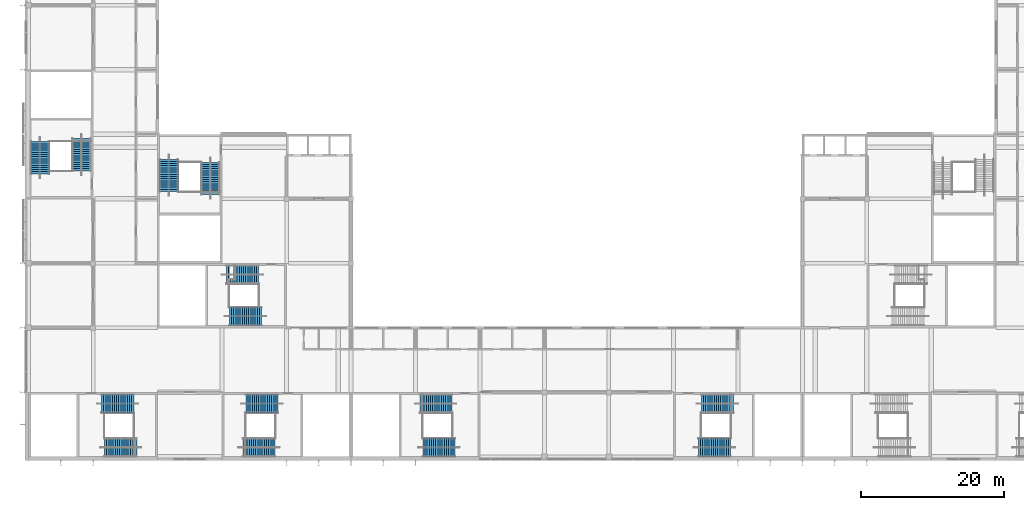
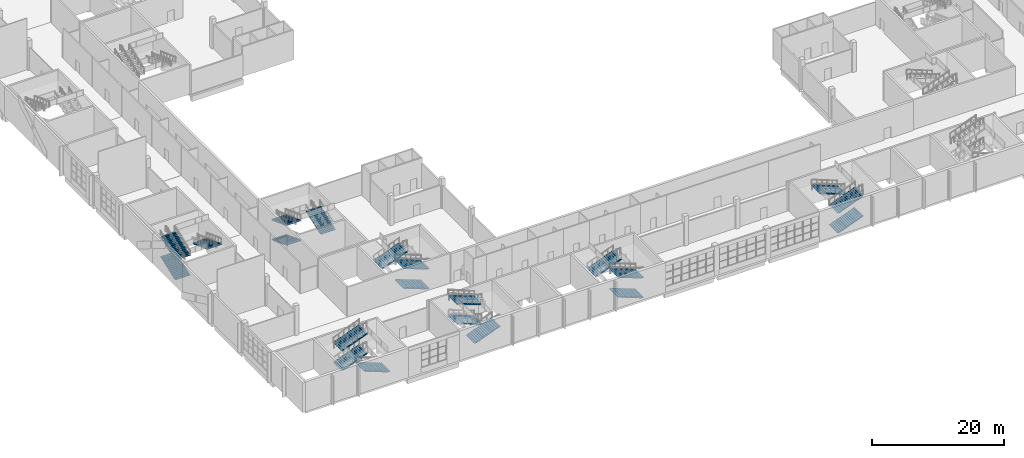
# One storey, part 44 of 84: 21 stair flights, 7 elements without a shape of their own.
"""IFC4 building model written with IfcOpenShell, lengths in metres."""

from ifc_helpers import new_model, si_unit, direction, frame, origin, place, context, subcontext, project, spatial, polyline, outline, extrude, material, type_object, element, aggregate, save


model = new_model("IFC4")

# Units and contexts
model_context = context("Model", 3, precision=1e-05, world=origin(), true_north=direction((0.0, 1.0)))
body_context = subcontext(model_context, "Body", "Model", "MODEL_VIEW")
ifc_project = project(units=[si_unit("LENGTHUNIT", "METRE"), si_unit("AREAUNIT", "SQUARE_METRE"), si_unit("VOLUMEUNIT", "CUBIC_METRE"), si_unit("PLANEANGLEUNIT", "RADIAN"), si_unit("MASSUNIT", "GRAM", prefix="KILO")], contexts=[model_context])

# Site, building, storey
site_placement = place(None, origin())
site = spatial("IfcSite", under=ifc_project, at=site_placement, CompositionType="ELEMENT")
building_placement = place(site_placement, origin())
building = spatial("IfcBuilding", under=site, at=building_placement, Name="Silverbay Arena", CompositionType="ELEMENT")
storey_placement = place(building_placement, frame((0.0, 0.0, 28.0)))
storey = spatial("IfcBuildingStorey", under=building, at=storey_placement, Name="L04", CompositionType="ELEMENT", Elevation=28.0)

# Stair, stair flights
ifc_material_1 = material(Name="Concrete Grade C45", Category="concrete")
stair_type = type_object("IfcStairType", Name="Stair 2600 wide 48 risers 114.6 x 300", PredefinedType="HALF_TURN_STAIR", material=ifc_material_1)
stair_1_placement = place(storey_placement, origin())
stair_1 = element("IfcStair", 1, at=stair_1_placement, inside=storey, type_object=stair_type, Name="Stair ST-S1 L04 to L05", PredefinedType="HALF_TURN_STAIR")
ifc_material_2 = material(Name="Concrete Grade C45", Category="concrete")
stair_flight_type = type_object("IfcStairFlightType", Name="Stair flight 2600 wide 16 risers 114.6 x 300", PredefinedType="STRAIGHT", material=ifc_material_2)
stair_flight_1_placement = place(storey_placement, frame((88.8203125, 25.39990234375, 0.0), z_axis=(0.0, 0.0, 1.0), x_axis=(-1.0, 0.0, 0.0)))
stair_flight_1 = element("IfcStairFlight", 2, at=stair_flight_1_placement, type_object=stair_flight_type, Name="Stair ST-S1 L04 to L05 flight 1", NumberOfRisers=16, NumberOfTreads=15, PredefinedType="STRAIGHT", RiserHeight=0.114583333, TreadLength=0.3, context=body_context, shape_type="SweptSolid", body=[
    extrude(outline(polyline([(0.0, 0.0), (0.0, 0.114501953125), (0.300048828125, 0.114501953125), (0.300048828125, 0.229248046875), (0.60009765625, 0.229248046875), (0.60009765625, 0.34375), (0.89990234375, 0.34375), (0.89990234375, 0.458251953125), (1.199951171875, 0.458251953125), (1.199951171875, 0.572998046875), (1.5, 0.572998046875), (1.5, 0.6875), (1.800048828125, 0.6875), (1.800048828125, 0.802001953125), (2.10009765625, 0.802001953125), (2.10009765625, 0.916748046875), (2.39990234375, 0.916748046875), (2.39990234375, 1.03125), (2.699951171875, 1.03125), (2.699951171875, 1.145751953125), (3.0, 1.145751953125), (3.0, 1.260498046875), (3.300048828125, 1.260498046875), (3.300048828125, 1.375), (3.60009765625, 1.375), (3.60009765625, 1.489501953125), (3.89990234375, 1.489501953125), (3.89990234375, 1.604248046875), (4.199951171875, 1.604248046875), (4.199951171875, 1.71875), (4.5, 1.71875), (4.5, 1.558349609375), (0.420166015625, 0.0), (0.0, 0.0)])), frame((0.0, 1.300048828125, 0.0), z_axis=(0.0, -1.0, 0.0), x_axis=(1.0, 0.0, 0.0)), (0.0, 0.0, 1.0), 2.60009765625),
])
stair_flight_2_placement = place(storey_placement, frame((83.89990234375, 19.300048828125, 1.833251953125), z_axis=(0.0, 0.0, 1.0), x_axis=(1.0, 0.0, 0.0)))
stair_flight_2 = element("IfcStairFlight", 3, at=stair_flight_2_placement, type_object=stair_flight_type, Name="Stair ST-S1 L04 to L05 flight 2", NumberOfRisers=16, NumberOfTreads=15, PredefinedType="STRAIGHT", RiserHeight=0.114583333, TreadLength=0.3, context=body_context, shape_type="SweptSolid", body=[
    extrude(outline(polyline([(0.0, 0.0), (0.0, 0.114501953125), (0.300048828125, 0.114501953125), (0.300048828125, 0.229248046875), (0.60009765625, 0.229248046875), (0.60009765625, 0.34375), (0.89990234375, 0.34375), (0.89990234375, 0.458251953125), (1.199951171875, 0.458251953125), (1.199951171875, 0.572998046875), (1.5, 0.572998046875), (1.5, 0.6875), (1.800048828125, 0.6875), (1.800048828125, 0.802001953125), (2.10009765625, 0.802001953125), (2.10009765625, 0.916748046875), (2.39990234375, 0.916748046875), (2.39990234375, 1.03125), (2.699951171875, 1.03125), (2.699951171875, 1.145751953125), (3.0, 1.145751953125), (3.0, 1.260498046875), (3.300048828125, 1.260498046875), (3.300048828125, 1.375), (3.60009765625, 1.375), (3.60009765625, 1.489501953125), (3.89990234375, 1.489501953125), (3.89990234375, 1.604248046875), (4.199951171875, 1.604248046875), (4.199951171875, 1.71875), (4.5, 1.71875), (4.5, 1.558349609375), (0.420166015625, 0.0), (0.0, 0.0)])), frame((0.0, 1.300048828125, 0.0), z_axis=(0.0, -1.0, 0.0), x_axis=(1.0, 0.0, 0.0)), (0.0, 0.0, 1.0), 2.60009765625),
])
stair_flight_3_placement = place(storey_placement, frame((88.8203125, 25.39990234375, 3.666748046875), z_axis=(0.0, 0.0, 1.0), x_axis=(-1.0, 0.0, 0.0)))
stair_flight_3 = element("IfcStairFlight", 4, at=stair_flight_3_placement, type_object=stair_flight_type, Name="Stair ST-S1 L04 to L05 flight 3", NumberOfRisers=16, NumberOfTreads=15, PredefinedType="STRAIGHT", RiserHeight=0.114583333, TreadLength=0.3, context=body_context, shape_type="SweptSolid", body=[
    extrude(outline(polyline([(0.0, 0.0), (0.0, 0.114501953125), (0.300048828125, 0.114501953125), (0.300048828125, 0.229248046875), (0.60009765625, 0.229248046875), (0.60009765625, 0.34375), (0.89990234375, 0.34375), (0.89990234375, 0.458251953125), (1.199951171875, 0.458251953125), (1.199951171875, 0.572998046875), (1.5, 0.572998046875), (1.5, 0.6875), (1.800048828125, 0.6875), (1.800048828125, 0.802001953125), (2.10009765625, 0.802001953125), (2.10009765625, 0.916748046875), (2.39990234375, 0.916748046875), (2.39990234375, 1.03125), (2.699951171875, 1.03125), (2.699951171875, 1.145751953125), (3.0, 1.145751953125), (3.0, 1.260498046875), (3.300048828125, 1.260498046875), (3.300048828125, 1.375), (3.60009765625, 1.375), (3.60009765625, 1.489501953125), (3.89990234375, 1.489501953125), (3.89990234375, 1.604248046875), (4.199951171875, 1.604248046875), (4.199951171875, 1.71875), (4.5, 1.71875), (4.5, 1.558349609375), (0.420166015625, 0.0), (0.0, 0.0)])), frame((0.0, 1.300048828125, 0.0), z_axis=(0.0, -1.0, 0.0), x_axis=(1.0, 0.0, 0.0)), (0.0, 0.0, 1.0), 2.60009765625),
])
aggregate(stair_1, [stair_flight_1, stair_flight_2, stair_flight_3])

stair_2_placement = place(storey_placement, origin())
stair_2 = element("IfcStair", 5, at=stair_2_placement, inside=storey, type_object=stair_type, Name="Stair ST-S2 L04 to L05", PredefinedType="HALF_TURN_STAIR")
stair_flight_4_placement = place(storey_placement, frame((113.5205078125, 19.300048828125, 0.0), z_axis=(0.0, 0.0, 1.0), x_axis=(-1.0, 0.0, 0.0)))
stair_flight_4 = element("IfcStairFlight", 6, at=stair_flight_4_placement, type_object=stair_flight_type, Name="Stair ST-S2 L04 to L05 flight 1", NumberOfRisers=16, NumberOfTreads=15, PredefinedType="STRAIGHT", RiserHeight=0.114583333, TreadLength=0.3, context=body_context, shape_type="SweptSolid", body=[
    extrude(outline(polyline([(0.0, 0.0), (0.0, 0.114501953125), (0.300048828125, 0.114501953125), (0.300048828125, 0.229248046875), (0.60009765625, 0.229248046875), (0.60009765625, 0.34375), (0.89990234375, 0.34375), (0.89990234375, 0.458251953125), (1.199951171875, 0.458251953125), (1.199951171875, 0.572998046875), (1.5, 0.572998046875), (1.5, 0.6875), (1.800048828125, 0.6875), (1.800048828125, 0.802001953125), (2.10009765625, 0.802001953125), (2.10009765625, 0.916748046875), (2.39990234375, 0.916748046875), (2.39990234375, 1.03125), (2.699951171875, 1.03125), (2.699951171875, 1.145751953125), (3.0, 1.145751953125), (3.0, 1.260498046875), (3.300048828125, 1.260498046875), (3.300048828125, 1.375), (3.60009765625, 1.375), (3.60009765625, 1.489501953125), (3.89990234375, 1.489501953125), (3.89990234375, 1.604248046875), (4.199951171875, 1.604248046875), (4.199951171875, 1.71875), (4.5, 1.71875), (4.5, 1.558349609375), (0.420166015625, 0.0), (0.0, 0.0)])), frame((0.0, 1.300048828125, 0.0), z_axis=(0.0, -1.0, 0.0), x_axis=(1.0, 0.0, 0.0)), (0.0, 0.0, 1.0), 2.60009765625),
])
stair_flight_5_placement = place(storey_placement, frame((108.60009765625, 25.39990234375, 1.833251953125), z_axis=(0.0, 0.0, 1.0), x_axis=(1.0, 0.0, 0.0)))
stair_flight_5 = element("IfcStairFlight", 7, at=stair_flight_5_placement, type_object=stair_flight_type, Name="Stair ST-S2 L04 to L05 flight 2", NumberOfRisers=16, NumberOfTreads=15, PredefinedType="STRAIGHT", RiserHeight=0.114583333, TreadLength=0.3, context=body_context, shape_type="SweptSolid", body=[
    extrude(outline(polyline([(0.0, 0.0), (0.0, 0.114501953125), (0.300048828125, 0.114501953125), (0.300048828125, 0.229248046875), (0.60009765625, 0.229248046875), (0.60009765625, 0.34375), (0.89990234375, 0.34375), (0.89990234375, 0.458251953125), (1.199951171875, 0.458251953125), (1.199951171875, 0.572998046875), (1.5, 0.572998046875), (1.5, 0.6875), (1.800048828125, 0.6875), (1.800048828125, 0.802001953125), (2.10009765625, 0.802001953125), (2.10009765625, 0.916748046875), (2.39990234375, 0.916748046875), (2.39990234375, 1.03125), (2.699951171875, 1.03125), (2.699951171875, 1.145751953125), (3.0, 1.145751953125), (3.0, 1.260498046875), (3.300048828125, 1.260498046875), (3.300048828125, 1.375), (3.60009765625, 1.375), (3.60009765625, 1.489501953125), (3.89990234375, 1.489501953125), (3.89990234375, 1.604248046875), (4.199951171875, 1.604248046875), (4.199951171875, 1.71875), (4.5, 1.71875), (4.5, 1.558349609375), (0.420166015625, 0.0), (0.0, 0.0)])), frame((0.0, 1.300048828125, 0.0), z_axis=(0.0, -1.0, 0.0), x_axis=(1.0, 0.0, 0.0)), (0.0, 0.0, 1.0), 2.60009765625),
])
stair_flight_6_placement = place(storey_placement, frame((113.5205078125, 19.300048828125, 3.666748046875), z_axis=(0.0, 0.0, 1.0), x_axis=(-1.0, 0.0, 0.0)))
stair_flight_6 = element("IfcStairFlight", 8, at=stair_flight_6_placement, type_object=stair_flight_type, Name="Stair ST-S2 L04 to L05 flight 3", NumberOfRisers=16, NumberOfTreads=15, PredefinedType="STRAIGHT", RiserHeight=0.114583333, TreadLength=0.3, context=body_context, shape_type="SweptSolid", body=[
    extrude(outline(polyline([(0.0, 0.0), (0.0, 0.114501953125), (0.300048828125, 0.114501953125), (0.300048828125, 0.229248046875), (0.60009765625, 0.229248046875), (0.60009765625, 0.34375), (0.89990234375, 0.34375), (0.89990234375, 0.458251953125), (1.199951171875, 0.458251953125), (1.199951171875, 0.572998046875), (1.5, 0.572998046875), (1.5, 0.6875), (1.800048828125, 0.6875), (1.800048828125, 0.802001953125), (2.10009765625, 0.802001953125), (2.10009765625, 0.916748046875), (2.39990234375, 0.916748046875), (2.39990234375, 1.03125), (2.699951171875, 1.03125), (2.699951171875, 1.145751953125), (3.0, 1.145751953125), (3.0, 1.260498046875), (3.300048828125, 1.260498046875), (3.300048828125, 1.375), (3.60009765625, 1.375), (3.60009765625, 1.489501953125), (3.89990234375, 1.489501953125), (3.89990234375, 1.604248046875), (4.199951171875, 1.604248046875), (4.199951171875, 1.71875), (4.5, 1.71875), (4.5, 1.558349609375), (0.420166015625, 0.0), (0.0, 0.0)])), frame((0.0, 1.300048828125, 0.0), z_axis=(0.0, -1.0, 0.0), x_axis=(1.0, 0.0, 0.0)), (0.0, 0.0, 1.0), 2.60009765625),
])
aggregate(stair_2, [stair_flight_4, stair_flight_5, stair_flight_6])

stair_3_placement = place(storey_placement, origin())
stair_3 = element("IfcStair", 9, at=stair_3_placement, inside=storey, type_object=stair_type, Name="Stair ST-S3 L04 to L05", PredefinedType="HALF_TURN_STAIR")
stair_flight_7_placement = place(storey_placement, frame((147.4794921875, 19.300048828125, 0.0), z_axis=(0.0, 0.0, 1.0), x_axis=(1.0, 0.0, 0.0)))
stair_flight_7 = element("IfcStairFlight", 10, at=stair_flight_7_placement, type_object=stair_flight_type, Name="Stair ST-S3 L04 to L05 flight 1", NumberOfRisers=16, NumberOfTreads=15, PredefinedType="STRAIGHT", RiserHeight=0.114583333, TreadLength=0.3, context=body_context, shape_type="SweptSolid", body=[
    extrude(outline(polyline([(0.0, 0.0), (0.0, 0.114501953125), (0.300048828125, 0.114501953125), (0.300048828125, 0.229248046875), (0.60009765625, 0.229248046875), (0.60009765625, 0.34375), (0.89990234375, 0.34375), (0.89990234375, 0.458251953125), (1.199951171875, 0.458251953125), (1.199951171875, 0.572998046875), (1.5, 0.572998046875), (1.5, 0.6875), (1.800048828125, 0.6875), (1.800048828125, 0.802001953125), (2.10009765625, 0.802001953125), (2.10009765625, 0.916748046875), (2.39990234375, 0.916748046875), (2.39990234375, 1.03125), (2.699951171875, 1.03125), (2.699951171875, 1.145751953125), (3.0, 1.145751953125), (3.0, 1.260498046875), (3.300048828125, 1.260498046875), (3.300048828125, 1.375), (3.60009765625, 1.375), (3.60009765625, 1.489501953125), (3.89990234375, 1.489501953125), (3.89990234375, 1.604248046875), (4.199951171875, 1.604248046875), (4.199951171875, 1.71875), (4.5, 1.71875), (4.5, 1.558349609375), (0.420166015625, 0.0), (0.0, 0.0)])), frame((0.0, 1.300048828125, 0.0), z_axis=(0.0, -1.0, 0.0), x_axis=(1.0, 0.0, 0.0)), (0.0, 0.0, 1.0), 2.60009765625),
])
stair_flight_8_placement = place(storey_placement, frame((152.39990234375, 25.39990234375, 1.833251953125), z_axis=(0.0, 0.0, 1.0), x_axis=(-1.0, 0.0, 0.0)))
stair_flight_8 = element("IfcStairFlight", 11, at=stair_flight_8_placement, type_object=stair_flight_type, Name="Stair ST-S3 L04 to L05 flight 2", NumberOfRisers=16, NumberOfTreads=15, PredefinedType="STRAIGHT", RiserHeight=0.114583333, TreadLength=0.3, context=body_context, shape_type="SweptSolid", body=[
    extrude(outline(polyline([(0.0, 0.0), (0.0, 0.114501953125), (0.300048828125, 0.114501953125), (0.300048828125, 0.229248046875), (0.60009765625, 0.229248046875), (0.60009765625, 0.34375), (0.89990234375, 0.34375), (0.89990234375, 0.458251953125), (1.199951171875, 0.458251953125), (1.199951171875, 0.572998046875), (1.5, 0.572998046875), (1.5, 0.6875), (1.800048828125, 0.6875), (1.800048828125, 0.802001953125), (2.10009765625, 0.802001953125), (2.10009765625, 0.916748046875), (2.39990234375, 0.916748046875), (2.39990234375, 1.03125), (2.699951171875, 1.03125), (2.699951171875, 1.145751953125), (3.0, 1.145751953125), (3.0, 1.260498046875), (3.300048828125, 1.260498046875), (3.300048828125, 1.375), (3.60009765625, 1.375), (3.60009765625, 1.489501953125), (3.89990234375, 1.489501953125), (3.89990234375, 1.604248046875), (4.199951171875, 1.604248046875), (4.199951171875, 1.71875), (4.5, 1.71875), (4.5, 1.558349609375), (0.420166015625, 0.0), (0.0, 0.0)])), frame((0.0, 1.300048828125, 0.0), z_axis=(0.0, -1.0, 0.0), x_axis=(1.0, 0.0, 0.0)), (0.0, 0.0, 1.0), 2.60009765625),
])
stair_flight_9_placement = place(storey_placement, frame((147.4794921875, 19.300048828125, 3.666748046875), z_axis=(0.0, 0.0, 1.0), x_axis=(1.0, 0.0, 0.0)))
stair_flight_9 = element("IfcStairFlight", 12, at=stair_flight_9_placement, type_object=stair_flight_type, Name="Stair ST-S3 L04 to L05 flight 3", NumberOfRisers=16, NumberOfTreads=15, PredefinedType="STRAIGHT", RiserHeight=0.114583333, TreadLength=0.3, context=body_context, shape_type="SweptSolid", body=[
    extrude(outline(polyline([(0.0, 0.0), (0.0, 0.114501953125), (0.300048828125, 0.114501953125), (0.300048828125, 0.229248046875), (0.60009765625, 0.229248046875), (0.60009765625, 0.34375), (0.89990234375, 0.34375), (0.89990234375, 0.458251953125), (1.199951171875, 0.458251953125), (1.199951171875, 0.572998046875), (1.5, 0.572998046875), (1.5, 0.6875), (1.800048828125, 0.6875), (1.800048828125, 0.802001953125), (2.10009765625, 0.802001953125), (2.10009765625, 0.916748046875), (2.39990234375, 0.916748046875), (2.39990234375, 1.03125), (2.699951171875, 1.03125), (2.699951171875, 1.145751953125), (3.0, 1.145751953125), (3.0, 1.260498046875), (3.300048828125, 1.260498046875), (3.300048828125, 1.375), (3.60009765625, 1.375), (3.60009765625, 1.489501953125), (3.89990234375, 1.489501953125), (3.89990234375, 1.604248046875), (4.199951171875, 1.604248046875), (4.199951171875, 1.71875), (4.5, 1.71875), (4.5, 1.558349609375), (0.420166015625, 0.0), (0.0, 0.0)])), frame((0.0, 1.300048828125, 0.0), z_axis=(0.0, -1.0, 0.0), x_axis=(1.0, 0.0, 0.0)), (0.0, 0.0, 1.0), 2.60009765625),
])
aggregate(stair_3, [stair_flight_7, stair_flight_8, stair_flight_9])

stair_4_placement = place(storey_placement, origin())
stair_4 = element("IfcStair", 13, at=stair_4_placement, inside=storey, type_object=stair_type, Name="Stair ST-S5 L04 to L05", PredefinedType="HALF_TURN_STAIR")
stair_flight_10_placement = place(storey_placement, frame((64.1796875, 25.39990234375, 0.0), z_axis=(0.0, 0.0, 1.0), x_axis=(1.0, 0.0, 0.0)))
stair_flight_10 = element("IfcStairFlight", 14, at=stair_flight_10_placement, type_object=stair_flight_type, Name="Stair ST-S5 L04 to L05 flight 1", NumberOfRisers=16, NumberOfTreads=15, PredefinedType="STRAIGHT", RiserHeight=0.114583333, TreadLength=0.3, context=body_context, shape_type="SweptSolid", body=[
    extrude(outline(polyline([(0.0, 0.0), (0.0, 0.114501953125), (0.300048828125, 0.114501953125), (0.300048828125, 0.229248046875), (0.60009765625, 0.229248046875), (0.60009765625, 0.34375), (0.89990234375, 0.34375), (0.89990234375, 0.458251953125), (1.199951171875, 0.458251953125), (1.199951171875, 0.572998046875), (1.5, 0.572998046875), (1.5, 0.6875), (1.800048828125, 0.6875), (1.800048828125, 0.802001953125), (2.10009765625, 0.802001953125), (2.10009765625, 0.916748046875), (2.39990234375, 0.916748046875), (2.39990234375, 1.03125), (2.699951171875, 1.03125), (2.699951171875, 1.145751953125), (3.0, 1.145751953125), (3.0, 1.260498046875), (3.300048828125, 1.260498046875), (3.300048828125, 1.375), (3.60009765625, 1.375), (3.60009765625, 1.489501953125), (3.89990234375, 1.489501953125), (3.89990234375, 1.604248046875), (4.199951171875, 1.604248046875), (4.199951171875, 1.71875), (4.5, 1.71875), (4.5, 1.558349609375), (0.420166015625, 0.0), (0.0, 0.0)])), frame((0.0, 1.300048828125, 0.0), z_axis=(0.0, -1.0, 0.0), x_axis=(1.0, 0.0, 0.0)), (0.0, 0.0, 1.0), 2.60009765625),
])
stair_flight_11_placement = place(storey_placement, frame((69.10009765625, 19.300048828125, 1.833251953125), z_axis=(0.0, 0.0, 1.0), x_axis=(-1.0, 0.0, 0.0)))
stair_flight_11 = element("IfcStairFlight", 15, at=stair_flight_11_placement, type_object=stair_flight_type, Name="Stair ST-S5 L04 to L05 flight 2", NumberOfRisers=16, NumberOfTreads=15, PredefinedType="STRAIGHT", RiserHeight=0.114583333, TreadLength=0.3, context=body_context, shape_type="SweptSolid", body=[
    extrude(outline(polyline([(0.0, 0.0), (0.0, 0.114501953125), (0.300048828125, 0.114501953125), (0.300048828125, 0.229248046875), (0.60009765625, 0.229248046875), (0.60009765625, 0.34375), (0.89990234375, 0.34375), (0.89990234375, 0.458251953125), (1.199951171875, 0.458251953125), (1.199951171875, 0.572998046875), (1.5, 0.572998046875), (1.5, 0.6875), (1.800048828125, 0.6875), (1.800048828125, 0.802001953125), (2.10009765625, 0.802001953125), (2.10009765625, 0.916748046875), (2.39990234375, 0.916748046875), (2.39990234375, 1.03125), (2.699951171875, 1.03125), (2.699951171875, 1.145751953125), (3.0, 1.145751953125), (3.0, 1.260498046875), (3.300048828125, 1.260498046875), (3.300048828125, 1.375), (3.60009765625, 1.375), (3.60009765625, 1.489501953125), (3.89990234375, 1.489501953125), (3.89990234375, 1.604248046875), (4.199951171875, 1.604248046875), (4.199951171875, 1.71875), (4.5, 1.71875), (4.5, 1.558349609375), (0.420166015625, 0.0), (0.0, 0.0)])), frame((0.0, 1.300048828125, 0.0), z_axis=(0.0, -1.0, 0.0), x_axis=(1.0, 0.0, 0.0)), (0.0, 0.0, 1.0), 2.60009765625),
])
stair_flight_12_placement = place(storey_placement, frame((64.1796875, 25.39990234375, 3.666748046875), z_axis=(0.0, 0.0, 1.0), x_axis=(1.0, 0.0, 0.0)))
stair_flight_12 = element("IfcStairFlight", 16, at=stair_flight_12_placement, type_object=stair_flight_type, Name="Stair ST-S5 L04 to L05 flight 3", NumberOfRisers=16, NumberOfTreads=15, PredefinedType="STRAIGHT", RiserHeight=0.114583333, TreadLength=0.3, context=body_context, shape_type="SweptSolid", body=[
    extrude(outline(polyline([(0.0, 0.0), (0.0, 0.114501953125), (0.300048828125, 0.114501953125), (0.300048828125, 0.229248046875), (0.60009765625, 0.229248046875), (0.60009765625, 0.34375), (0.89990234375, 0.34375), (0.89990234375, 0.458251953125), (1.199951171875, 0.458251953125), (1.199951171875, 0.572998046875), (1.5, 0.572998046875), (1.5, 0.6875), (1.800048828125, 0.6875), (1.800048828125, 0.802001953125), (2.10009765625, 0.802001953125), (2.10009765625, 0.916748046875), (2.39990234375, 0.916748046875), (2.39990234375, 1.03125), (2.699951171875, 1.03125), (2.699951171875, 1.145751953125), (3.0, 1.145751953125), (3.0, 1.260498046875), (3.300048828125, 1.260498046875), (3.300048828125, 1.375), (3.60009765625, 1.375), (3.60009765625, 1.489501953125), (3.89990234375, 1.489501953125), (3.89990234375, 1.604248046875), (4.199951171875, 1.604248046875), (4.199951171875, 1.71875), (4.5, 1.71875), (4.5, 1.558349609375), (0.420166015625, 0.0), (0.0, 0.0)])), frame((0.0, 1.300048828125, 0.0), z_axis=(0.0, -1.0, 0.0), x_axis=(1.0, 0.0, 0.0)), (0.0, 0.0, 1.0), 2.60009765625),
])
aggregate(stair_4, [stair_flight_10, stair_flight_11, stair_flight_12])

stair_5_placement = place(storey_placement, origin())
stair_5 = element("IfcStair", 17, at=stair_5_placement, inside=storey, type_object=stair_type, Name="Stair ST-W1 L04 to L05", PredefinedType="HALF_TURN_STAIR")
stair_flight_13_placement = place(storey_placement, frame((55.60009765625, 57.4794921875, 0.0), z_axis=(0.0, 0.0, 1.0), x_axis=(0.0, 1.0, 0.0)))
stair_flight_13 = element("IfcStairFlight", 18, at=stair_flight_13_placement, type_object=stair_flight_type, Name="Stair ST-W1 L04 to L05 flight 1", NumberOfRisers=16, NumberOfTreads=15, PredefinedType="STRAIGHT", RiserHeight=0.114583333, TreadLength=0.3, context=body_context, shape_type="SweptSolid", body=[
    extrude(outline(polyline([(0.0, 0.0), (0.0, 0.114501953125), (0.300048828125, 0.114501953125), (0.300048828125, 0.229248046875), (0.60009765625, 0.229248046875), (0.60009765625, 0.34375), (0.89990234375, 0.34375), (0.89990234375, 0.458251953125), (1.199951171875, 0.458251953125), (1.199951171875, 0.572998046875), (1.5, 0.572998046875), (1.5, 0.6875), (1.800048828125, 0.6875), (1.800048828125, 0.802001953125), (2.10009765625, 0.802001953125), (2.10009765625, 0.916748046875), (2.39990234375, 0.916748046875), (2.39990234375, 1.03125), (2.699951171875, 1.03125), (2.699951171875, 1.145751953125), (3.0, 1.145751953125), (3.0, 1.260498046875), (3.300048828125, 1.260498046875), (3.300048828125, 1.375), (3.60009765625, 1.375), (3.60009765625, 1.489501953125), (3.89990234375, 1.489501953125), (3.89990234375, 1.604248046875), (4.199951171875, 1.604248046875), (4.199951171875, 1.71875), (4.5, 1.71875), (4.5, 1.558349609375), (0.420166015625, 0.0), (0.0, 0.0)])), frame((0.0, 1.300048828125, 0.0), z_axis=(0.0, -1.0, 0.0), x_axis=(1.0, 0.0, 0.0)), (0.0, 0.0, 1.0), 2.60009765625),
])
stair_flight_14_placement = place(storey_placement, frame((61.39990234375, 62.39990234375, 1.833251953125), z_axis=(0.0, 0.0, 1.0), x_axis=(0.0, -1.0, 0.0)))
stair_flight_14 = element("IfcStairFlight", 19, at=stair_flight_14_placement, type_object=stair_flight_type, Name="Stair ST-W1 L04 to L05 flight 2", NumberOfRisers=16, NumberOfTreads=15, PredefinedType="STRAIGHT", RiserHeight=0.114583333, TreadLength=0.3, context=body_context, shape_type="SweptSolid", body=[
    extrude(outline(polyline([(0.0, 0.0), (0.0, 0.114501953125), (0.300048828125, 0.114501953125), (0.300048828125, 0.229248046875), (0.60009765625, 0.229248046875), (0.60009765625, 0.34375), (0.89990234375, 0.34375), (0.89990234375, 0.458251953125), (1.199951171875, 0.458251953125), (1.199951171875, 0.572998046875), (1.5, 0.572998046875), (1.5, 0.6875), (1.800048828125, 0.6875), (1.800048828125, 0.802001953125), (2.10009765625, 0.802001953125), (2.10009765625, 0.916748046875), (2.39990234375, 0.916748046875), (2.39990234375, 1.03125), (2.699951171875, 1.03125), (2.699951171875, 1.145751953125), (3.0, 1.145751953125), (3.0, 1.260498046875), (3.300048828125, 1.260498046875), (3.300048828125, 1.375), (3.60009765625, 1.375), (3.60009765625, 1.489501953125), (3.89990234375, 1.489501953125), (3.89990234375, 1.604248046875), (4.199951171875, 1.604248046875), (4.199951171875, 1.71875), (4.5, 1.71875), (4.5, 1.558349609375), (0.420166015625, 0.0), (0.0, 0.0)])), frame((0.0, 1.300048828125, 0.0), z_axis=(0.0, -1.0, 0.0), x_axis=(1.0, 0.0, 0.0)), (0.0, 0.0, 1.0), 2.60009765625),
])
stair_flight_15_placement = place(storey_placement, frame((55.60009765625, 57.4794921875, 3.666748046875), z_axis=(0.0, 0.0, 1.0), x_axis=(0.0, 1.0, 0.0)))
stair_flight_15 = element("IfcStairFlight", 20, at=stair_flight_15_placement, type_object=stair_flight_type, Name="Stair ST-W1 L04 to L05 flight 3", NumberOfRisers=16, NumberOfTreads=15, PredefinedType="STRAIGHT", RiserHeight=0.114583333, TreadLength=0.3, context=body_context, shape_type="SweptSolid", body=[
    extrude(outline(polyline([(0.0, 0.0), (0.0, 0.114501953125), (0.300048828125, 0.114501953125), (0.300048828125, 0.229248046875), (0.60009765625, 0.229248046875), (0.60009765625, 0.34375), (0.89990234375, 0.34375), (0.89990234375, 0.458251953125), (1.199951171875, 0.458251953125), (1.199951171875, 0.572998046875), (1.5, 0.572998046875), (1.5, 0.6875), (1.800048828125, 0.6875), (1.800048828125, 0.802001953125), (2.10009765625, 0.802001953125), (2.10009765625, 0.916748046875), (2.39990234375, 0.916748046875), (2.39990234375, 1.03125), (2.699951171875, 1.03125), (2.699951171875, 1.145751953125), (3.0, 1.145751953125), (3.0, 1.260498046875), (3.300048828125, 1.260498046875), (3.300048828125, 1.375), (3.60009765625, 1.375), (3.60009765625, 1.489501953125), (3.89990234375, 1.489501953125), (3.89990234375, 1.604248046875), (4.199951171875, 1.604248046875), (4.199951171875, 1.71875), (4.5, 1.71875), (4.5, 1.558349609375), (0.420166015625, 0.0), (0.0, 0.0)])), frame((0.0, 1.300048828125, 0.0), z_axis=(0.0, -1.0, 0.0), x_axis=(1.0, 0.0, 0.0)), (0.0, 0.0, 1.0), 2.60009765625),
])
aggregate(stair_5, [stair_flight_13, stair_flight_14, stair_flight_15])

stair_6_placement = place(storey_placement, origin())
stair_6 = element("IfcStair", 21, at=stair_6_placement, inside=storey, type_object=stair_type, Name="Stair ST-SW1 L04 to L05", PredefinedType="HALF_TURN_STAIR")
stair_flight_16_placement = place(storey_placement, frame((86.5205078125, 37.60009765625, 0.0), z_axis=(0.0, 0.0, 1.0), x_axis=(-1.0, 0.0, 0.0)))
stair_flight_16 = element("IfcStairFlight", 22, at=stair_flight_16_placement, type_object=stair_flight_type, Name="Stair ST-SW1 L04 to L05 flight 1", NumberOfRisers=16, NumberOfTreads=15, PredefinedType="STRAIGHT", RiserHeight=0.114583333, TreadLength=0.3, context=body_context, shape_type="SweptSolid", body=[
    extrude(outline(polyline([(0.0, 0.0), (0.0, 0.114501953125), (0.300048828125, 0.114501953125), (0.300048828125, 0.229248046875), (0.60009765625, 0.229248046875), (0.60009765625, 0.34375), (0.89990234375, 0.34375), (0.89990234375, 0.458251953125), (1.199951171875, 0.458251953125), (1.199951171875, 0.572998046875), (1.5, 0.572998046875), (1.5, 0.6875), (1.800048828125, 0.6875), (1.800048828125, 0.802001953125), (2.10009765625, 0.802001953125), (2.10009765625, 0.916748046875), (2.39990234375, 0.916748046875), (2.39990234375, 1.03125), (2.699951171875, 1.03125), (2.699951171875, 1.145751953125), (3.0, 1.145751953125), (3.0, 1.260498046875), (3.300048828125, 1.260498046875), (3.300048828125, 1.375), (3.60009765625, 1.375), (3.60009765625, 1.489501953125), (3.89990234375, 1.489501953125), (3.89990234375, 1.604248046875), (4.199951171875, 1.604248046875), (4.199951171875, 1.71875), (4.5, 1.71875), (4.5, 1.558349609375), (0.420166015625, 0.0), (0.0, 0.0)])), frame((0.0, 1.300048828125, 0.0), z_axis=(0.0, -1.0, 0.0), x_axis=(1.0, 0.0, 0.0)), (0.0, 0.0, 1.0), 2.60009765625),
])
stair_flight_17_placement = place(storey_placement, frame((81.60009765625, 43.39990234375, 1.833251953125), z_axis=(0.0, 0.0, 1.0), x_axis=(1.0, 0.0, 0.0)))
stair_flight_17 = element("IfcStairFlight", 23, at=stair_flight_17_placement, type_object=stair_flight_type, Name="Stair ST-SW1 L04 to L05 flight 2", NumberOfRisers=16, NumberOfTreads=15, PredefinedType="STRAIGHT", RiserHeight=0.114583333, TreadLength=0.3, context=body_context, shape_type="SweptSolid", body=[
    extrude(outline(polyline([(0.0, 0.0), (0.0, 0.114501953125), (0.300048828125, 0.114501953125), (0.300048828125, 0.229248046875), (0.60009765625, 0.229248046875), (0.60009765625, 0.34375), (0.89990234375, 0.34375), (0.89990234375, 0.458251953125), (1.199951171875, 0.458251953125), (1.199951171875, 0.572998046875), (1.5, 0.572998046875), (1.5, 0.6875), (1.800048828125, 0.6875), (1.800048828125, 0.802001953125), (2.10009765625, 0.802001953125), (2.10009765625, 0.916748046875), (2.39990234375, 0.916748046875), (2.39990234375, 1.03125), (2.699951171875, 1.03125), (2.699951171875, 1.145751953125), (3.0, 1.145751953125), (3.0, 1.260498046875), (3.300048828125, 1.260498046875), (3.300048828125, 1.375), (3.60009765625, 1.375), (3.60009765625, 1.489501953125), (3.89990234375, 1.489501953125), (3.89990234375, 1.604248046875), (4.199951171875, 1.604248046875), (4.199951171875, 1.71875), (4.5, 1.71875), (4.5, 1.558349609375), (0.420166015625, 0.0), (0.0, 0.0)])), frame((0.0, 1.300048828125, 0.0), z_axis=(0.0, -1.0, 0.0), x_axis=(1.0, 0.0, 0.0)), (0.0, 0.0, 1.0), 2.60009765625),
])
stair_flight_18_placement = place(storey_placement, frame((86.5205078125, 37.60009765625, 3.666748046875), z_axis=(0.0, 0.0, 1.0), x_axis=(-1.0, 0.0, 0.0)))
stair_flight_18 = element("IfcStairFlight", 24, at=stair_flight_18_placement, type_object=stair_flight_type, Name="Stair ST-SW1 L04 to L05 flight 3", NumberOfRisers=16, NumberOfTreads=15, PredefinedType="STRAIGHT", RiserHeight=0.114583333, TreadLength=0.3, context=body_context, shape_type="SweptSolid", body=[
    extrude(outline(polyline([(0.0, 0.0), (0.0, 0.114501953125), (0.300048828125, 0.114501953125), (0.300048828125, 0.229248046875), (0.60009765625, 0.229248046875), (0.60009765625, 0.34375), (0.89990234375, 0.34375), (0.89990234375, 0.458251953125), (1.199951171875, 0.458251953125), (1.199951171875, 0.572998046875), (1.5, 0.572998046875), (1.5, 0.6875), (1.800048828125, 0.6875), (1.800048828125, 0.802001953125), (2.10009765625, 0.802001953125), (2.10009765625, 0.916748046875), (2.39990234375, 0.916748046875), (2.39990234375, 1.03125), (2.699951171875, 1.03125), (2.699951171875, 1.145751953125), (3.0, 1.145751953125), (3.0, 1.260498046875), (3.300048828125, 1.260498046875), (3.300048828125, 1.375), (3.60009765625, 1.375), (3.60009765625, 1.489501953125), (3.89990234375, 1.489501953125), (3.89990234375, 1.604248046875), (4.199951171875, 1.604248046875), (4.199951171875, 1.71875), (4.5, 1.71875), (4.5, 1.558349609375), (0.420166015625, 0.0), (0.0, 0.0)])), frame((0.0, 1.300048828125, 0.0), z_axis=(0.0, -1.0, 0.0), x_axis=(1.0, 0.0, 0.0)), (0.0, 0.0, 1.0), 2.60009765625),
])
aggregate(stair_6, [stair_flight_16, stair_flight_17, stair_flight_18])

stair_7_placement = place(storey_placement, origin())
stair_7 = element("IfcStair", 25, at=stair_7_placement, inside=storey, type_object=stair_type, Name="Stair ST-SW2 L04 to L05", PredefinedType="HALF_TURN_STAIR")
stair_flight_19_placement = place(storey_placement, frame((73.60009765625, 59.5205078125, 0.0), z_axis=(0.0, 0.0, 1.0), x_axis=(0.0, -1.0, 0.0)))
stair_flight_19 = element("IfcStairFlight", 26, at=stair_flight_19_placement, type_object=stair_flight_type, Name="Stair ST-SW2 L04 to L05 flight 1", NumberOfRisers=16, NumberOfTreads=15, PredefinedType="STRAIGHT", RiserHeight=0.114583333, TreadLength=0.3, context=body_context, shape_type="SweptSolid", body=[
    extrude(outline(polyline([(0.0, 0.0), (0.0, 0.114501953125), (0.300048828125, 0.114501953125), (0.300048828125, 0.229248046875), (0.60009765625, 0.229248046875), (0.60009765625, 0.34375), (0.89990234375, 0.34375), (0.89990234375, 0.458251953125), (1.199951171875, 0.458251953125), (1.199951171875, 0.572998046875), (1.5, 0.572998046875), (1.5, 0.6875), (1.800048828125, 0.6875), (1.800048828125, 0.802001953125), (2.10009765625, 0.802001953125), (2.10009765625, 0.916748046875), (2.39990234375, 0.916748046875), (2.39990234375, 1.03125), (2.699951171875, 1.03125), (2.699951171875, 1.145751953125), (3.0, 1.145751953125), (3.0, 1.260498046875), (3.300048828125, 1.260498046875), (3.300048828125, 1.375), (3.60009765625, 1.375), (3.60009765625, 1.489501953125), (3.89990234375, 1.489501953125), (3.89990234375, 1.604248046875), (4.199951171875, 1.604248046875), (4.199951171875, 1.71875), (4.5, 1.71875), (4.5, 1.558349609375), (0.420166015625, 0.0), (0.0, 0.0)])), frame((0.0, 1.300048828125, 0.0), z_axis=(0.0, -1.0, 0.0), x_axis=(1.0, 0.0, 0.0)), (0.0, 0.0, 1.0), 2.60009765625),
])
stair_flight_20_placement = place(storey_placement, frame((79.39990234375, 54.60009765625, 1.833251953125), z_axis=(0.0, 0.0, 1.0), x_axis=(0.0, 1.0, 0.0)))
stair_flight_20 = element("IfcStairFlight", 27, at=stair_flight_20_placement, type_object=stair_flight_type, Name="Stair ST-SW2 L04 to L05 flight 2", NumberOfRisers=16, NumberOfTreads=15, PredefinedType="STRAIGHT", RiserHeight=0.114583333, TreadLength=0.3, context=body_context, shape_type="SweptSolid", body=[
    extrude(outline(polyline([(0.0, 0.0), (0.0, 0.114501953125), (0.300048828125, 0.114501953125), (0.300048828125, 0.229248046875), (0.60009765625, 0.229248046875), (0.60009765625, 0.34375), (0.89990234375, 0.34375), (0.89990234375, 0.458251953125), (1.199951171875, 0.458251953125), (1.199951171875, 0.572998046875), (1.5, 0.572998046875), (1.5, 0.6875), (1.800048828125, 0.6875), (1.800048828125, 0.802001953125), (2.10009765625, 0.802001953125), (2.10009765625, 0.916748046875), (2.39990234375, 0.916748046875), (2.39990234375, 1.03125), (2.699951171875, 1.03125), (2.699951171875, 1.145751953125), (3.0, 1.145751953125), (3.0, 1.260498046875), (3.300048828125, 1.260498046875), (3.300048828125, 1.375), (3.60009765625, 1.375), (3.60009765625, 1.489501953125), (3.89990234375, 1.489501953125), (3.89990234375, 1.604248046875), (4.199951171875, 1.604248046875), (4.199951171875, 1.71875), (4.5, 1.71875), (4.5, 1.558349609375), (0.420166015625, 0.0), (0.0, 0.0)])), frame((0.0, 1.300048828125, 0.0), z_axis=(0.0, -1.0, 0.0), x_axis=(1.0, 0.0, 0.0)), (0.0, 0.0, 1.0), 2.60009765625),
])
stair_flight_21_placement = place(storey_placement, frame((73.60009765625, 59.5205078125, 3.666748046875), z_axis=(0.0, 0.0, 1.0), x_axis=(0.0, -1.0, 0.0)))
stair_flight_21 = element("IfcStairFlight", 28, at=stair_flight_21_placement, type_object=stair_flight_type, Name="Stair ST-SW2 L04 to L05 flight 3", NumberOfRisers=16, NumberOfTreads=15, PredefinedType="STRAIGHT", RiserHeight=0.114583333, TreadLength=0.3, context=body_context, shape_type="SweptSolid", body=[
    extrude(outline(polyline([(0.0, 0.0), (0.0, 0.114501953125), (0.300048828125, 0.114501953125), (0.300048828125, 0.229248046875), (0.60009765625, 0.229248046875), (0.60009765625, 0.34375), (0.89990234375, 0.34375), (0.89990234375, 0.458251953125), (1.199951171875, 0.458251953125), (1.199951171875, 0.572998046875), (1.5, 0.572998046875), (1.5, 0.6875), (1.800048828125, 0.6875), (1.800048828125, 0.802001953125), (2.10009765625, 0.802001953125), (2.10009765625, 0.916748046875), (2.39990234375, 0.916748046875), (2.39990234375, 1.03125), (2.699951171875, 1.03125), (2.699951171875, 1.145751953125), (3.0, 1.145751953125), (3.0, 1.260498046875), (3.300048828125, 1.260498046875), (3.300048828125, 1.375), (3.60009765625, 1.375), (3.60009765625, 1.489501953125), (3.89990234375, 1.489501953125), (3.89990234375, 1.604248046875), (4.199951171875, 1.604248046875), (4.199951171875, 1.71875), (4.5, 1.71875), (4.5, 1.558349609375), (0.420166015625, 0.0), (0.0, 0.0)])), frame((0.0, 1.300048828125, 0.0), z_axis=(0.0, -1.0, 0.0), x_axis=(1.0, 0.0, 0.0)), (0.0, 0.0, 1.0), 2.60009765625),
])
aggregate(stair_7, [stair_flight_19, stair_flight_20, stair_flight_21])

save(model, "model.ifc")
